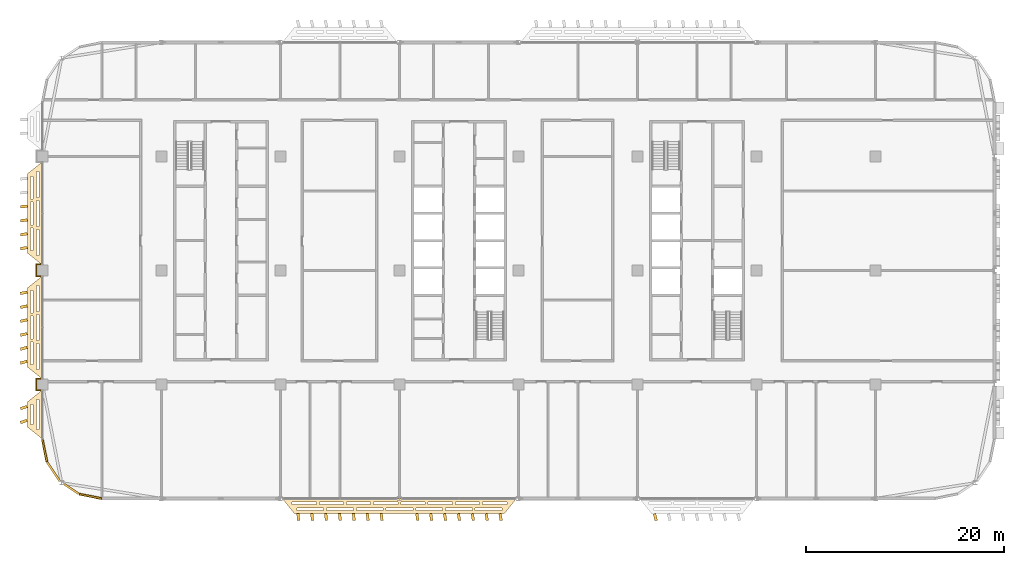
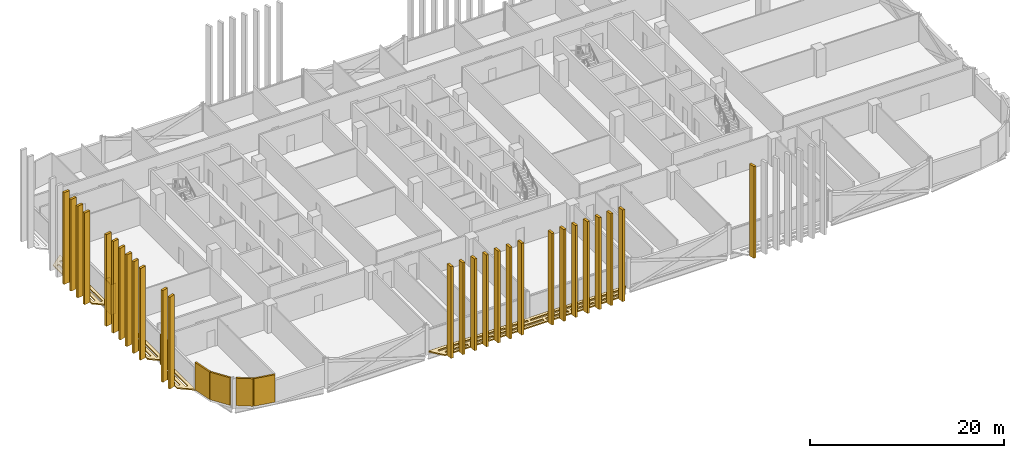
# One storey, part 25 of 30: 37 coverings.
"""IFC4 building model written with IfcOpenShell, lengths in metres."""

from ifc_helpers import new_model, si_unit, direction, frame, origin, origin_2d, place, context, subcontext, project, spatial, polyline, rectangle, outline, extrude, material, layer, layer_set, type_object, element, save


model = new_model("IFC4")

# Units and contexts
model_context = context("Model", 3, precision=1e-05, world=origin(), true_north=direction((0.0, 1.0)))
body_context = subcontext(model_context, "Body", "Model", "MODEL_VIEW")
ifc_project = project(units=[si_unit("LENGTHUNIT", "METRE"), si_unit("AREAUNIT", "SQUARE_METRE"), si_unit("VOLUMEUNIT", "CUBIC_METRE"), si_unit("PLANEANGLEUNIT", "RADIAN"), si_unit("MASSUNIT", "GRAM", prefix="KILO")], contexts=[model_context])

# Site, building, storey
site_placement = place(None, origin())
site = spatial("IfcSite", under=ifc_project, at=site_placement, CompositionType="ELEMENT")
building_placement = place(site_placement, origin())
building = spatial("IfcBuilding", under=site, at=building_placement, Name="Mahtab Terrace Research Tower", CompositionType="ELEMENT")
storey_placement = place(building_placement, frame((0.0, 0.0, 209.10009765625)))
storey = spatial("IfcBuildingStorey", under=building, at=storey_placement, Name="L50", CompositionType="ELEMENT", Elevation=209.10009765625)

# Coverings
ifc_material_1 = material(Name="Black aluminium cladding panel", Category="aluminium")
ifc_layer_1 = layer(ifc_material_1, 0.199951171875)
ifc_layer_set_1 = layer_set([ifc_layer_1], Name="Black metal corner cladding 200")
covering_type_1 = type_object("IfcCoveringType", Name="Black metal corner cladding 200", PredefinedType="CLADDING", material=ifc_layer_set_1)
for number, where, z_axis, x_axis, name in (
    (1, (-41.771484375, -18.14794921875, 0.0), (0.0, 0.0, 1.0), (0.195212442692, -0.980760981187, 0.0), "Corner cladding L50 19"),
    (2, (-40.89306640625, -20.26953125, 0.0), (0.0, 0.0, 1.0), (0.555291490808, -0.831655794326, 0.0), "Corner cladding L50 20"),
):
    element("IfcCovering", number, at=place(storey_placement, frame(where, z_axis=z_axis, x_axis=x_axis)), inside=storey, type_object=covering_type_1, Name=name, PredefinedType="CLADDING", context=body_context, shape_type="SweptSolid", body=[
        extrude(rectangle(XDim=2.30126953125, YDim=0.199951171875, at=origin_2d()), origin(), (0.0, 0.0, 1.0), 3.4599609375),
    ])
covering_1_placement = place(storey_placement, frame((-39.059814453125, -22.032958984375, 0.0), z_axis=(0.0, 0.0, 1.0), x_axis=(0.831655794326, -0.555291490808, 0.0)))
element("IfcCovering", 3, at=covering_1_placement, inside=storey, type_object=covering_type_1, Name="Corner cladding L50 21", PredefinedType="CLADDING", context=body_context, shape_type="SweptSolid", body=[
    extrude(rectangle(XDim=1.797119140625, YDim=0.199951171875, at=origin_2d()), origin(), (0.0, 0.0, 1.0), 3.4599609375),
])
covering_2_placement = place(storey_placement, frame((-37.14794921875, -22.771484375, 0.0), z_axis=(0.0, 0.0, 1.0), x_axis=(0.980760981187, -0.195212442692, 0.0)))
element("IfcCovering", 4, at=covering_2_placement, inside=storey, type_object=covering_type_1, Name="Corner cladding L50 22", PredefinedType="CLADDING", context=body_context, shape_type="SweptSolid", body=[
    extrude(rectangle(XDim=2.30126953125, YDim=0.199951171875, at=origin_2d()), origin(), (0.0, 0.0, 1.0), 3.4599609375),
])
ifc_material_2 = material(Name="Dark anodised aluminium cladding", Category="aluminium")
ifc_layer_2 = layer(ifc_material_2, 0.10009765625)
ifc_layer_set_2 = layer_set([ifc_layer_2], Name="Column casing 100")
covering_type_2 = type_object("IfcCoveringType", Name="Column casing 100", PredefinedType="CLADDING", material=ifc_layer_set_2)
covering_3_placement = place(storey_placement, frame((0.0, 0.0, -0.340087890625)))
element("IfcCovering", 5, at=covering_3_placement, inside=storey, type_object=covering_type_2, Name="Column casing RC-1A L50", PredefinedType="CLADDING", context=body_context, shape_type="SweptSolid", body=[
    extrude(outline(polyline([(-42.64990234375, -10.85009765625), (-42.0, -10.85009765625), (-42.0, -10.949951171875), (-42.550048828125, -10.949951171875), (-42.550048828125, -12.050048828125), (-42.0, -12.050048828125), (-42.0, -12.14990234375), (-42.64990234375, -12.14990234375), (-42.64990234375, -10.85009765625)])), origin(), (0.0, 0.0, 1.0), 3.800048828125),
])
covering_4_placement = place(storey_placement, frame((0.0, 0.0, -0.340087890625)))
element("IfcCovering", 6, at=covering_4_placement, inside=storey, type_object=covering_type_2, Name="Column casing RC-1B L50", PredefinedType="CLADDING", context=body_context, shape_type="SweptSolid", body=[
    extrude(outline(polyline([(-42.64990234375, 0.64990234375), (-42.0, 0.64990234375), (-42.0, 0.550048828125), (-42.550048828125, 0.550048828125), (-42.550048828125, -0.550048828125), (-42.0, -0.550048828125), (-42.0, -0.64990234375), (-42.64990234375, -0.64990234375), (-42.64990234375, 0.64990234375)])), origin(), (0.0, 0.0, 1.0), 3.800048828125),
])
ifc_material_3 = material(Name="Black anodised aluminium", Category="aluminium")
ifc_layer_3 = layer(ifc_material_3, 0.14990234375)
ifc_layer_set_3 = layer_set([ifc_layer_3], Name="Horizontal sunshade band")
covering_type_3 = type_object("IfcCoveringType", Name="Horizontal sunshade band", PredefinedType="CLADDING", material=ifc_layer_set_3)
covering_5_placement = place(storey_placement, frame((0.0, 0.0, -0.150146484375)))
element("IfcCovering", 7, at=covering_5_placement, inside=storey, type_object=covering_type_3, Name="Sunshade band L50 16", PredefinedType="CLADDING", context=body_context, shape_type="SweptSolid", body=[
    extrude(outline(polyline([(-42.0, 10.949951171875), (-42.0, 0.550048828125), (-43.5, 1.75), (-43.5, 9.75), (-42.0, 10.949951171875)]), holes=[polyline([(-42.35009765625, 9.969970703125), (-42.35009765625, 7.35693359375), (-42.60009765625, 7.35693359375), (-42.60009765625, 9.969970703125), (-42.35009765625, 9.969970703125)]), polyline([(-42.35009765625, 7.056884765625), (-42.35009765625, 4.443115234375), (-42.60009765625, 4.443115234375), (-42.60009765625, 7.056884765625), (-42.35009765625, 7.056884765625)]), polyline([(-42.35009765625, 4.14306640625), (-42.35009765625, 1.530029296875), (-42.60009765625, 1.530029296875), (-42.60009765625, 4.14306640625), (-42.35009765625, 4.14306640625)]), polyline([(-42.949951171875, 9.489990234375), (-42.949951171875, 7.197021484375), (-43.199951171875, 7.197021484375), (-43.199951171875, 9.489990234375), (-42.949951171875, 9.489990234375)]), polyline([(-42.949951171875, 6.89697265625), (-42.949951171875, 4.60302734375), (-43.199951171875, 4.60302734375), (-43.199951171875, 6.89697265625), (-42.949951171875, 6.89697265625)]), polyline([(-42.949951171875, 4.302978515625), (-42.949951171875, 2.010009765625), (-43.199951171875, 2.010009765625), (-43.199951171875, 4.302978515625), (-42.949951171875, 4.302978515625)])]), origin(), (0.0, 0.0, 1.0), 0.150146484375),
])
covering_6_placement = place(storey_placement, frame((0.0, 0.0, -0.150146484375)))
element("IfcCovering", 8, at=covering_6_placement, inside=storey, type_object=covering_type_3, Name="Sunshade band L50 17", PredefinedType="CLADDING", context=body_context, shape_type="SweptSolid", body=[
    extrude(outline(polyline([(-42.0, -0.550048828125), (-42.0, -10.949951171875), (-43.5, -9.75), (-43.5, -1.75), (-42.0, -0.550048828125)]), holes=[polyline([(-42.35009765625, -1.530029296875), (-42.35009765625, -4.14306640625), (-42.60009765625, -4.14306640625), (-42.60009765625, -1.530029296875), (-42.35009765625, -1.530029296875)]), polyline([(-42.35009765625, -4.443115234375), (-42.35009765625, -7.056884765625), (-42.60009765625, -7.056884765625), (-42.60009765625, -4.443115234375), (-42.35009765625, -4.443115234375)]), polyline([(-42.35009765625, -7.35693359375), (-42.35009765625, -9.969970703125), (-42.60009765625, -9.969970703125), (-42.60009765625, -7.35693359375), (-42.35009765625, -7.35693359375)]), polyline([(-42.949951171875, -2.010009765625), (-42.949951171875, -4.302978515625), (-43.199951171875, -4.302978515625), (-43.199951171875, -2.010009765625), (-42.949951171875, -2.010009765625)]), polyline([(-42.949951171875, -4.60302734375), (-42.949951171875, -6.89697265625), (-43.199951171875, -6.89697265625), (-43.199951171875, -4.60302734375), (-42.949951171875, -4.60302734375)]), polyline([(-42.949951171875, -7.197021484375), (-42.949951171875, -9.489990234375), (-43.199951171875, -9.489990234375), (-43.199951171875, -7.197021484375), (-42.949951171875, -7.197021484375)])]), origin(), (0.0, 0.0, 1.0), 0.150146484375),
])
covering_7_placement = place(storey_placement, frame((0.0, 0.0, -0.150146484375)))
element("IfcCovering", 9, at=covering_7_placement, inside=storey, type_object=covering_type_3, Name="Sunshade band L50 18", PredefinedType="CLADDING", context=body_context, shape_type="SweptSolid", body=[
    extrude(outline(polyline([(-42.0, -12.050048828125), (-42.0, -17.0), (-43.5, -15.800048828125), (-43.5, -13.25), (-42.0, -12.050048828125)]), holes=[polyline([(-42.35009765625, -13.030029296875), (-42.35009765625, -16.02001953125), (-42.60009765625, -16.02001953125), (-42.60009765625, -13.030029296875), (-42.35009765625, -13.030029296875)]), polyline([(-42.949951171875, -13.510009765625), (-42.949951171875, -15.5400390625), (-43.199951171875, -15.5400390625), (-43.199951171875, -13.510009765625), (-42.949951171875, -13.510009765625)])]), origin(), (0.0, 0.0, 1.0), 0.150146484375),
])
covering_8_placement = place(storey_placement, frame((0.0, 0.0, -0.150146484375)))
element("IfcCovering", 10, at=covering_8_placement, inside=storey, type_object=covering_type_3, Name="Sunshade band L50 25", PredefinedType="CLADDING", context=body_context, shape_type="SweptSolid", body=[
    extrude(outline(polyline([(-17.800048828125, -23.0), (5.800048828125, -23.0), (4.60009765625, -24.5), (-16.60009765625, -24.5), (-17.800048828125, -23.0)]), holes=[polyline([(-16.820068359375, -23.35009765625), (-14.3779296875, -23.35009765625), (-14.3779296875, -23.60009765625), (-16.820068359375, -23.60009765625), (-16.820068359375, -23.35009765625)]), polyline([(-14.077880859375, -23.35009765625), (-11.635009765625, -23.35009765625), (-11.635009765625, -23.60009765625), (-14.077880859375, -23.60009765625), (-14.077880859375, -23.35009765625)]), polyline([(-11.3349609375, -23.35009765625), (-8.89306640625, -23.35009765625), (-8.89306640625, -23.60009765625), (-11.3349609375, -23.60009765625), (-11.3349609375, -23.35009765625)]), polyline([(-8.593017578125, -23.35009765625), (-6.14990234375, -23.35009765625), (-6.14990234375, -23.60009765625), (-8.593017578125, -23.60009765625), (-8.593017578125, -23.35009765625)]), polyline([(-5.85009765625, -23.35009765625), (-3.406982421875, -23.35009765625), (-3.406982421875, -23.60009765625), (-5.85009765625, -23.60009765625), (-5.85009765625, -23.35009765625)]), polyline([(-3.10791015625, -23.35009765625), (-0.6650390625, -23.35009765625), (-0.6650390625, -23.60009765625), (-3.10791015625, -23.60009765625), (-3.10791015625, -23.35009765625)]), polyline([(-0.364990234375, -23.35009765625), (2.077880859375, -23.35009765625), (2.077880859375, -23.60009765625), (-0.364990234375, -23.60009765625), (-0.364990234375, -23.35009765625)]), polyline([(2.376953125, -23.35009765625), (4.820068359375, -23.35009765625), (4.820068359375, -23.60009765625), (2.376953125, -23.60009765625), (2.376953125, -23.35009765625)]), polyline([(-16.340087890625, -23.949951171875), (-13.64306640625, -23.949951171875), (-13.64306640625, -24.199951171875), (-16.340087890625, -24.199951171875), (-16.340087890625, -23.949951171875)]), polyline([(-13.343017578125, -23.949951171875), (-10.64599609375, -23.949951171875), (-10.64599609375, -24.199951171875), (-13.343017578125, -24.199951171875), (-13.343017578125, -23.949951171875)]), polyline([(-10.345947265625, -23.949951171875), (-7.64892578125, -23.949951171875), (-7.64892578125, -24.199951171875), (-10.345947265625, -24.199951171875), (-10.345947265625, -23.949951171875)]), polyline([(-7.34912109375, -23.949951171875), (-4.65087890625, -23.949951171875), (-4.65087890625, -24.199951171875), (-7.34912109375, -24.199951171875), (-7.34912109375, -23.949951171875)]), polyline([(-4.35107421875, -23.949951171875), (-1.654052734375, -23.949951171875), (-1.654052734375, -24.199951171875), (-4.35107421875, -24.199951171875), (-4.35107421875, -23.949951171875)]), polyline([(-1.35400390625, -23.949951171875), (1.343017578125, -23.949951171875), (1.343017578125, -24.199951171875), (-1.35400390625, -24.199951171875), (-1.35400390625, -23.949951171875)]), polyline([(1.64306640625, -23.949951171875), (4.340087890625, -23.949951171875), (4.340087890625, -24.199951171875), (1.64306640625, -24.199951171875), (1.64306640625, -23.949951171875)])]), origin(), (0.0, 0.0, 1.0), 0.150146484375),
])
ifc_material_4 = material(Name="Bronze anodised aluminium", Category="aluminium")
ifc_layer_4 = layer(ifc_material_4, 0.1201171875)
ifc_layer_set_4 = layer_set([ifc_layer_4], Name="Vertical fin 700")
covering_type_4 = type_object("IfcCoveringType", Name="Vertical fin 700", PredefinedType="CLADDING", material=ifc_layer_set_4)
for number, where, z_axis, x_axis, name in (
    (11, (-43.863037109375, 6.449951171875, -0.14990234375), (0.0, 0.0, 1.0), (0.108101421065, -0.994139870825, 0.0), "Fin L50 W3"),
    (12, (-43.864501953125, 5.050048828125, -0.14990234375), (0.0, 0.0, 1.0), (0.122378833164, -0.992483461421, 0.0), "Fin L50 W4"),
    (13, (-43.865966796875, 3.64990234375, -0.14990234375), (0.0, 0.0, 1.0), (0.136630963225, -0.990622016658, 0.0), "Fin L50 W5"),
    (14, (-43.8671875, 2.25, -0.14990234375), (0.0, 0.0, 1.0), (0.15085486696, -0.988555921086, 0.0), "Fin L50 W6"),
    (15, (-43.87060546875, -2.25, -0.14990234375), (0.0, 0.0, 1.0), (0.196348832524, -0.980534107498, 0.0), "Fin L50 W1"),
    (16, (-43.87158203125, -3.64990234375, -0.14990234375), (0.0, 0.0, 1.0), (0.210421576206, -0.977610740667, 0.0), "Fin L50 W2"),
    (17, (-43.87255859375, -5.050048828125, -0.14990234375), (0.0, 0.0, 1.0), (0.224450849259, -0.974485411008, 0.0), "Fin L50 W3"),
    (18, (-43.873291015625, -6.449951171875, -0.14990234375), (0.0, 0.0, 1.0), (0.238433753434, -0.971158764169, 0.0), "Fin L50 W4"),
    (19, (-43.8740234375, -7.85009765625, -0.14990234375), (0.0, 0.0, 1.0), (0.252367400013, -0.967631487401, 0.0), "Fin L50 W5"),
    (20, (-43.874755859375, -9.25, -0.14990234375), (0.0, 0.0, 1.0), (0.266248910467, -0.963904309397, 0.0), "Fin L50 W6"),
    (21, (-43.876220703125, -13.824951171875, -0.14990234375), (0.0, 0.0, 1.0), (0.311213103365, -0.95034015189, 0.0), "Fin L50 W1"),
    (22, (-43.87646484375, -15.22509765625, -0.14990234375), (0.0, 0.0, 1.0), (0.324840010415, -0.945768982169, 0.0), "Fin L50 W2"),
    (23, (-16.199951171875, -24.8603515625, -0.14990234375), (0.0, 0.0, 1.0), (0.996616925886, 0.082187000416, 0.0), "Fin L50 S1"),
    (24, (-14.800048828125, -24.86083984375, -0.14990234375), (0.0, 0.0, 1.0), (0.996121918106, 0.087983659104, 0.0), "Fin L50 S2"),
    (25, (-13.39990234375, -24.861572265625, -0.14990234375), (0.0, 0.0, 1.0), (0.995593195301, 0.093777339855, 0.0), "Fin L50 S3"),
    (26, (-12.0, -24.8623046875, -0.14990234375), (0.0, 0.0, 1.0), (0.995030775366, 0.099567846591, 0.0), "Fin L50 S4"),
    (27, (-10.60009765625, -24.86279296875, -0.14990234375), (0.0, 0.0, 1.0), (0.994434677334, 0.105354983343, 0.0), "Fin L50 S5"),
    (28, (-9.199951171875, -24.86328125, -0.14990234375), (0.0, 0.0, 1.0), (0.993804921385, 0.111138554202, 0.0), "Fin L50 S6"),
    (29, (-7.800048828125, -24.864013671875, -0.14990234375), (0.0, 0.0, 1.0), (0.993141528832, 0.116918363435, 0.0), "Fin L50 S7"),
    (30, (-4.199951171875, -24.865478515625, -0.14990234375), (0.0, 0.0, 1.0), (0.991281368707, 0.131762088833, 0.0), "Fin L50 S1"),
    (31, (-2.800048828125, -24.865966796875, -0.14990234375), (0.0, 0.0, 1.0), (0.990498036675, 0.137526867716, 0.0), "Fin L50 S2"),
    (32, (-1.39990234375, -24.866455078125, -0.14990234375), (0.0, 0.0, 1.0), (0.989681179966, 0.143286991809, 0.0), "Fin L50 S3"),
    (33, (0.0, -24.866943359375, -0.14990234375), (0.0, 0.0, 1.0), (0.988830826226, 0.149042266169, 0.0), "Fin L50 S4"),
    (34, (1.39990234375, -24.867431640625, -0.14990234375), (0.0, 0.0, 1.0), (0.987947004235, 0.154792496019, 0.0), "Fin L50 S5"),
    (35, (2.800048828125, -24.867919921875, -0.14990234375), (0.0, 0.0, 1.0), (0.98702974391, 0.160537486702, 0.0), "Fin L50 S6"),
    (36, (4.199951171875, -24.868408203125, -0.14990234375), (0.0, 0.0, 1.0), (0.986079076296, 0.166277043787, 0.0), "Fin L50 S7"),
    (37, (19.800048828125, -24.872802734375, -0.14990234375), (0.0, 0.0, 1.0), (0.973236201459, 0.22980708468, 0.0), "Fin L50 S1"),
):
    element("IfcCovering", number, at=place(storey_placement, frame(where, z_axis=z_axis, x_axis=x_axis)), inside=storey, type_object=covering_type_4, Name=name, PredefinedType="CLADDING", context=body_context, shape_type="SweptSolid", body=[
        extrude(rectangle(XDim=0.280029296875, YDim=0.699951171875, at=origin_2d()), origin(), (0.0, 0.0, 1.0), 11.550048828125),
    ])

save(model, "model.ifc")
